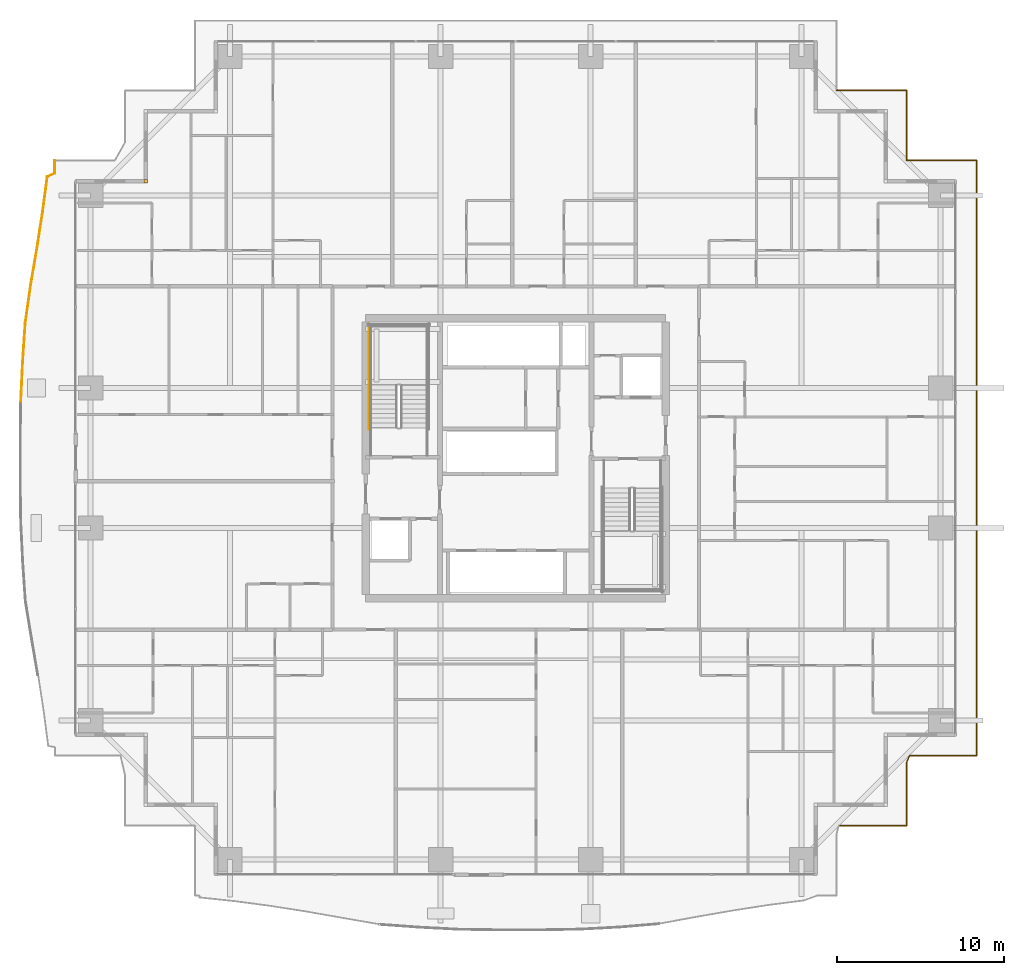
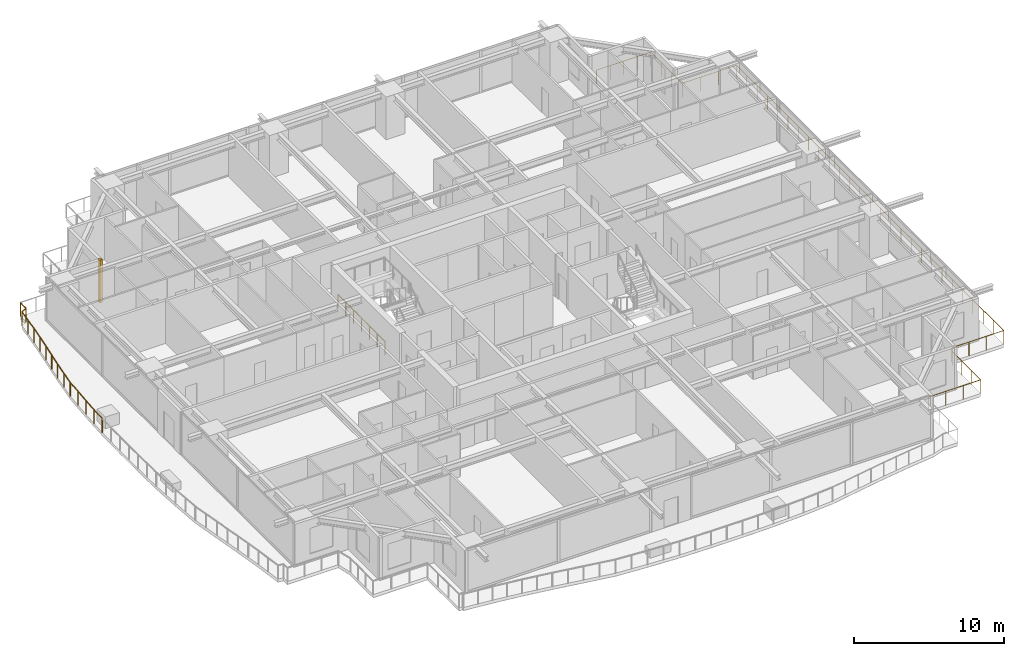
# One storey, part 39 of 41: 3 railings, 1 covering.
"""IFC4 building model written with IfcOpenShell, lengths in metres."""

from ifc_helpers import new_model, si_unit, direction, frame, origin, origin_2d, place, context, subcontext, project, spatial, rectangle, circle, extrude, source, transform, mapped, material, layer, layer_set, type_object, element, save


model = new_model("IFC4")

# Units and contexts
model_context = context("Model", 3, precision=1e-05, world=origin(), true_north=direction((0.0, 1.0)))
body_context = subcontext(model_context, "Body", "Model", "MODEL_VIEW")
ifc_project = project(units=[si_unit("LENGTHUNIT", "METRE"), si_unit("AREAUNIT", "SQUARE_METRE"), si_unit("VOLUMEUNIT", "CUBIC_METRE"), si_unit("PLANEANGLEUNIT", "RADIAN"), si_unit("MASSUNIT", "GRAM", prefix="KILO")], contexts=[model_context])

# Site, building, storey
site_placement = place(None, origin())
site = spatial("IfcSite", under=ifc_project, at=site_placement, CompositionType="ELEMENT")
building_placement = place(site_placement, origin())
building = spatial("IfcBuilding", under=site, at=building_placement, Name="Serunith Strait Residences", CompositionType="ELEMENT")
storey_placement = place(building_placement, frame((0.0, 0.0, 45.449951171875)))
storey = spatial("IfcBuildingStorey", under=building, at=storey_placement, Name="L10", CompositionType="ELEMENT", Elevation=45.449951171875)

# Railings
ifc_material_1 = material(Name="Stainless Steel & Laminated Glass Balustrade", Category="steel")
railing_type_1 = type_object("IfcRailingType", Name="RLG-BALC-1150", PredefinedType="BALUSTRADE", material=ifc_material_1)
railing_1_placement = place(storey_placement, frame((2.70751953125, 28.58349609375, -0.050048828125)))
element("IfcRailing", 1, at=railing_1_placement, inside=storey, type_object=railing_type_1, Name="L10 Swirling Balcony Perimeter Balustrade 3", PredefinedType="BALUSTRADE", context=body_context, shape_type="SweptSolid", body=[
    extrude(circle(Radius=0.02392578125, at=origin_2d()), frame((0.0, 0.001953125, 1.1259765625), z_axis=(0.047205907635, 0.99888517973, 0.0), x_axis=(-0.99888517973, 0.047205907635, 0.0)), (0.0, 0.0, 1.0), 2.385498046875),
    extrude(circle(Radius=0.02392578125, at=origin_2d()), frame((0.113037109375, 2.388671875, 1.1259765625), z_axis=(0.065743710835, 0.997836541967, 0.0), x_axis=(-0.997836541967, 0.065743710835, 0.0)), (0.0, 0.0, 1.0), 2.35791015625),
    extrude(circle(Radius=0.02392578125, at=origin_2d()), frame((0.268310546875, 4.745361328125, 1.1259765625), z_axis=(0.14307546888, 0.989711781381, 0.0), x_axis=(-0.989711781381, 0.14307546888, 0.0)), (0.0, 0.0, 1.0), 2.289306640625),
    extrude(circle(Radius=0.02392578125, at=origin_2d()), frame((0.596435546875, 7.01513671875, 1.1259765625), z_axis=(0.16763169898, 0.985849691128, 0.0), x_axis=(-0.985849691128, 0.16763169898, 0.0)), (0.0, 0.0, 1.0), 2.224365234375),
    extrude(circle(Radius=0.02392578125, at=origin_2d()), frame((0.969970703125, 9.2119140625, 1.1259765625), z_axis=(0.153755566006, 0.988108913998, 0.0), x_axis=(-0.988108913998, 0.153755566006, 0.0)), (0.0, 0.0, 1.0), 2.177734375),
    extrude(circle(Radius=0.02392578125, at=origin_2d()), frame((1.305419921875, 11.36767578125, 1.1259765625), z_axis=(0.13270652096, 0.99115537596, 0.0), x_axis=(-0.99115537596, 0.13270652096, 0.0)), (0.0, 0.0, 1.0), 2.146728515625),
    extrude(circle(Radius=0.02392578125, at=origin_2d()), frame((1.59228515625, 13.498046875, 1.1259765625), z_axis=(0.909365888291, 0.415997212986, 0.0), x_axis=(-0.415997212986, 0.909365888291, 0.0)), (0.0, 0.0, 1.0), 0.48193359375),
    extrude(circle(Radius=0.02392578125, at=origin_2d()), frame((2.032470703125, 13.701416015625, 1.1259765625), z_axis=(0.0, 1.0, 0.0), x_axis=(-1.0, 0.0, 0.0)), (0.0, 0.0, 1.0), 0.773193359375),
    extrude(circle(Radius=0.02099609375, at=origin_2d()), origin(), (0.0, 0.0, 1.0), 1.099853515625),
    extrude(circle(Radius=0.02099609375, at=origin_2d()), frame((0.056396484375, 1.193359375, 0.0)), (0.0, 0.0, 1.0), 1.099853515625),
    extrude(circle(Radius=0.02099609375, at=origin_2d()), frame((0.11279296875, 2.38671875, 0.0)), (0.0, 0.0, 1.0), 1.099853515625),
    extrude(circle(Radius=0.02099609375, at=origin_2d()), frame((0.1904296875, 3.56494140625, 0.0)), (0.0, 0.0, 1.0), 1.099853515625),
    extrude(circle(Radius=0.02099609375, at=origin_2d()), frame((0.26806640625, 4.743408203125, 0.0)), (0.0, 0.0, 1.0), 1.099853515625),
    extrude(circle(Radius=0.02099609375, at=origin_2d()), frame((0.43212890625, 5.87841796875, 0.0)), (0.0, 0.0, 1.0), 1.099853515625),
    extrude(circle(Radius=0.02099609375, at=origin_2d()), frame((0.59619140625, 7.01318359375, 0.0)), (0.0, 0.0, 1.0), 1.099853515625),
    extrude(circle(Radius=0.02099609375, at=origin_2d()), frame((0.782958984375, 8.111572265625, 0.0)), (0.0, 0.0, 1.0), 1.099853515625),
    extrude(circle(Radius=0.02099609375, at=origin_2d()), frame((0.9697265625, 9.2099609375, 0.0)), (0.0, 0.0, 1.0), 1.099853515625),
    extrude(circle(Radius=0.02099609375, at=origin_2d()), frame((1.137451171875, 10.287841796875, 0.0)), (0.0, 0.0, 1.0), 1.099853515625),
    extrude(circle(Radius=0.02099609375, at=origin_2d()), frame((1.30517578125, 11.36572265625, 0.0)), (0.0, 0.0, 1.0), 1.099853515625),
    extrude(circle(Radius=0.02099609375, at=origin_2d()), frame((1.44775390625, 12.431640625, 0.0)), (0.0, 0.0, 1.0), 1.099853515625),
    extrude(circle(Radius=0.02099609375, at=origin_2d()), frame((1.590576171875, 13.497314453125, 0.0)), (0.0, 0.0, 1.0), 1.099853515625),
    extrude(circle(Radius=0.02099609375, at=origin_2d()), frame((2.032470703125, 13.699462890625, 0.0)), (0.0, 0.0, 1.0), 1.099853515625),
    extrude(circle(Radius=0.02099609375, at=origin_2d()), frame((2.032470703125, 14.4765625, 0.0)), (0.0, 0.0, 1.0), 1.099853515625),
])
railing_2_placement = place(storey_placement, frame((51.659912109375, 47.260009765625, -0.050048828125)))
element("IfcRailing", 2, at=railing_2_placement, inside=storey, type_object=railing_type_1, Name="L10 Swirling Balcony Perimeter Balustrade 5", PredefinedType="BALUSTRADE", context=body_context, shape_type="SweptSolid", body=[
    extrude(circle(Radius=0.02392578125, at=origin_2d()), frame((0.001953125, 0.0, 1.1259765625), z_axis=(1.0, 0.0, 0.0), x_axis=(0.0, 1.0, 0.0)), (0.0, 0.0, 1.0), 4.1962890625),
    extrude(circle(Radius=0.02392578125, at=origin_2d()), frame((4.2001953125, -0.001953125, 1.1259765625), z_axis=(0.0, -1.0, 0.0), x_axis=(1.0, 0.0, 0.0)), (0.0, 0.0, 1.0), 4.196044921875),
    extrude(circle(Radius=0.02392578125, at=origin_2d()), frame((4.2021484375, -4.199951171875, 1.1259765625), z_axis=(1.0, 0.0, 0.0), x_axis=(0.0, 1.0, 0.0)), (0.0, 0.0, 1.0), 4.196044921875),
    extrude(circle(Radius=0.02392578125, at=origin_2d()), frame((8.400146484375, -4.201904296875, 1.1259765625), z_axis=(0.0, -1.0, 0.0), x_axis=(1.0, 0.0, 0.0)), (0.0, 0.0, 1.0), 35.716064453125),
    extrude(circle(Radius=0.02392578125, at=origin_2d()), frame((8.398193359375, -39.919921875, 1.1259765625), z_axis=(-1.0, 0.0, 0.0), x_axis=(0.0, -1.0, 0.0)), (0.0, 0.0, 1.0), 4.014892578125),
    extrude(circle(Radius=0.02392578125, at=origin_2d()), frame((4.380615234375, -39.921630859375, 1.1259765625), z_axis=(-0.414518347731, -0.91004095479, 0.0), x_axis=(0.91004095479, -0.414518347731, 0.0)), (0.0, 0.0, 1.0), 0.43310546875),
    extrude(circle(Radius=0.02392578125, at=origin_2d()), frame((4.2001953125, -40.319580078125, 1.1259765625), z_axis=(0.0, -1.0, 0.0), x_axis=(1.0, 0.0, 0.0)), (0.0, 0.0, 1.0), 3.798583984375),
    extrude(circle(Radius=0.02392578125, at=origin_2d()), frame((4.1982421875, -44.1201171875, 1.1259765625), z_axis=(-1.0, 0.0, 0.0), x_axis=(0.0, -1.0, 0.0)), (0.0, 0.0, 1.0), 4.05810546875),
    extrude(circle(Radius=0.02099609375, at=origin_2d()), origin(), (0.0, 0.0, 1.0), 1.099853515625),
    extrude(circle(Radius=0.02099609375, at=origin_2d()), frame((1.050048828125, 0.0, 0.0)), (0.0, 0.0, 1.0), 1.099853515625),
    extrude(circle(Radius=0.02099609375, at=origin_2d()), frame((2.10009765625, 0.0, 0.0)), (0.0, 0.0, 1.0), 1.099853515625),
    extrude(circle(Radius=0.02099609375, at=origin_2d()), frame((3.150146484375, 0.0, 0.0)), (0.0, 0.0, 1.0), 1.099853515625),
    extrude(circle(Radius=0.02099609375, at=origin_2d()), frame((4.2001953125, 0.0, 0.0)), (0.0, 0.0, 1.0), 1.099853515625),
    extrude(circle(Radius=0.02099609375, at=origin_2d()), frame((4.2001953125, -1.39990234375, 0.0)), (0.0, 0.0, 1.0), 1.099853515625),
    extrude(circle(Radius=0.02099609375, at=origin_2d()), frame((4.2001953125, -2.800048828125, 0.0)), (0.0, 0.0, 1.0), 1.099853515625),
    extrude(circle(Radius=0.02099609375, at=origin_2d()), frame((4.2001953125, -4.199951171875, 0.0)), (0.0, 0.0, 1.0), 1.099853515625),
    extrude(circle(Radius=0.02099609375, at=origin_2d()), frame((5.60009765625, -4.199951171875, 0.0)), (0.0, 0.0, 1.0), 1.099853515625),
    extrude(circle(Radius=0.02099609375, at=origin_2d()), frame((7.000244140625, -4.199951171875, 0.0)), (0.0, 0.0, 1.0), 1.099853515625),
    extrude(circle(Radius=0.02099609375, at=origin_2d()), frame((8.400146484375, -4.199951171875, 0.0)), (0.0, 0.0, 1.0), 1.099853515625),
    extrude(circle(Radius=0.02099609375, at=origin_2d()), frame((8.400146484375, -5.57373046875, 0.0)), (0.0, 0.0, 1.0), 1.099853515625),
    extrude(circle(Radius=0.02099609375, at=origin_2d()), frame((8.400146484375, -6.94775390625, 0.0)), (0.0, 0.0, 1.0), 1.099853515625),
    extrude(circle(Radius=0.02099609375, at=origin_2d()), frame((8.400146484375, -8.321533203125, 0.0)), (0.0, 0.0, 1.0), 1.099853515625),
    extrude(circle(Radius=0.02099609375, at=origin_2d()), frame((8.400146484375, -9.6953125, 0.0)), (0.0, 0.0, 1.0), 1.099853515625),
    extrude(circle(Radius=0.02099609375, at=origin_2d()), frame((8.400146484375, -11.069091796875, 0.0)), (0.0, 0.0, 1.0), 1.099853515625),
    extrude(circle(Radius=0.02099609375, at=origin_2d()), frame((8.400146484375, -12.443115234375, 0.0)), (0.0, 0.0, 1.0), 1.099853515625),
    extrude(circle(Radius=0.02099609375, at=origin_2d()), frame((8.400146484375, -13.81689453125, 0.0)), (0.0, 0.0, 1.0), 1.099853515625),
    extrude(circle(Radius=0.02099609375, at=origin_2d()), frame((8.400146484375, -15.190673828125, 0.0)), (0.0, 0.0, 1.0), 1.099853515625),
    extrude(circle(Radius=0.02099609375, at=origin_2d()), frame((8.400146484375, -16.564453125, 0.0)), (0.0, 0.0, 1.0), 1.099853515625),
    extrude(circle(Radius=0.02099609375, at=origin_2d()), frame((8.400146484375, -17.9384765625, 0.0)), (0.0, 0.0, 1.0), 1.099853515625),
    extrude(circle(Radius=0.02099609375, at=origin_2d()), frame((8.400146484375, -19.312255859375, 0.0)), (0.0, 0.0, 1.0), 1.099853515625),
    extrude(circle(Radius=0.02099609375, at=origin_2d()), frame((8.400146484375, -20.68603515625, 0.0)), (0.0, 0.0, 1.0), 1.099853515625),
    extrude(circle(Radius=0.02099609375, at=origin_2d()), frame((8.400146484375, -22.06005859375, 0.0)), (0.0, 0.0, 1.0), 1.099853515625),
    extrude(circle(Radius=0.02099609375, at=origin_2d()), frame((8.400146484375, -23.433837890625, 0.0)), (0.0, 0.0, 1.0), 1.099853515625),
    extrude(circle(Radius=0.02099609375, at=origin_2d()), frame((8.400146484375, -24.8076171875, 0.0)), (0.0, 0.0, 1.0), 1.099853515625),
    extrude(circle(Radius=0.02099609375, at=origin_2d()), frame((8.400146484375, -26.181396484375, 0.0)), (0.0, 0.0, 1.0), 1.099853515625),
    extrude(circle(Radius=0.02099609375, at=origin_2d()), frame((8.400146484375, -27.555419921875, 0.0)), (0.0, 0.0, 1.0), 1.099853515625),
    extrude(circle(Radius=0.02099609375, at=origin_2d()), frame((8.400146484375, -28.92919921875, 0.0)), (0.0, 0.0, 1.0), 1.099853515625),
    extrude(circle(Radius=0.02099609375, at=origin_2d()), frame((8.400146484375, -30.302978515625, 0.0)), (0.0, 0.0, 1.0), 1.099853515625),
    extrude(circle(Radius=0.02099609375, at=origin_2d()), frame((8.400146484375, -31.6767578125, 0.0)), (0.0, 0.0, 1.0), 1.099853515625),
    extrude(circle(Radius=0.02099609375, at=origin_2d()), frame((8.400146484375, -33.05078125, 0.0)), (0.0, 0.0, 1.0), 1.099853515625),
    extrude(circle(Radius=0.02099609375, at=origin_2d()), frame((8.400146484375, -34.424560546875, 0.0)), (0.0, 0.0, 1.0), 1.099853515625),
    extrude(circle(Radius=0.02099609375, at=origin_2d()), frame((8.400146484375, -35.79833984375, 0.0)), (0.0, 0.0, 1.0), 1.099853515625),
    extrude(circle(Radius=0.02099609375, at=origin_2d()), frame((8.400146484375, -37.172119140625, 0.0)), (0.0, 0.0, 1.0), 1.099853515625),
    extrude(circle(Radius=0.02099609375, at=origin_2d()), frame((8.400146484375, -38.546142578125, 0.0)), (0.0, 0.0, 1.0), 1.099853515625),
    extrude(circle(Radius=0.02099609375, at=origin_2d()), frame((8.400146484375, -39.919921875, 0.0)), (0.0, 0.0, 1.0), 1.099853515625),
    extrude(circle(Radius=0.02099609375, at=origin_2d()), frame((7.060546875, -39.919921875, 0.0)), (0.0, 0.0, 1.0), 1.099853515625),
    extrude(circle(Radius=0.02099609375, at=origin_2d()), frame((5.720947265625, -39.919921875, 0.0)), (0.0, 0.0, 1.0), 1.099853515625),
    extrude(circle(Radius=0.02099609375, at=origin_2d()), frame((4.38134765625, -39.919921875, 0.0)), (0.0, 0.0, 1.0), 1.099853515625),
    extrude(circle(Radius=0.02099609375, at=origin_2d()), frame((4.2001953125, -40.317626953125, 0.0)), (0.0, 0.0, 1.0), 1.099853515625),
    extrude(circle(Radius=0.02099609375, at=origin_2d()), frame((4.2001953125, -41.585205078125, 0.0)), (0.0, 0.0, 1.0), 1.099853515625),
    extrude(circle(Radius=0.02099609375, at=origin_2d()), frame((4.2001953125, -42.8525390625, 0.0)), (0.0, 0.0, 1.0), 1.099853515625),
    extrude(circle(Radius=0.02099609375, at=origin_2d()), frame((4.2001953125, -44.1201171875, 0.0)), (0.0, 0.0, 1.0), 1.099853515625),
    extrude(circle(Radius=0.02099609375, at=origin_2d()), frame((2.84619140625, -44.1201171875, 0.0)), (0.0, 0.0, 1.0), 1.099853515625),
    extrude(circle(Radius=0.02099609375, at=origin_2d()), frame((1.4921875, -44.1201171875, 0.0)), (0.0, 0.0, 1.0), 1.099853515625),
    extrude(circle(Radius=0.02099609375, at=origin_2d()), frame((0.13818359375, -44.1201171875, 0.0)), (0.0, 0.0, 1.0), 1.099853515625),
])
ifc_material_2 = material(Name="Brushed stainless steel 316L", Category="steel")
railing_type_2 = type_object("IfcRailingType", Name="RLG-STAIR-GUARD", PredefinedType="BALUSTRADE", material=ifc_material_2)
railing_3_placement = place(storey_placement, frame((23.60009765625, 26.929931640625, 0.0)))
element("IfcRailing", 3, at=railing_3_placement, inside=storey, type_object=railing_type_2, Name="L10 ST-1 stair guard 11", PredefinedType="BALUSTRADE", context=body_context, shape_type="SweptSolid", body=[
    extrude(circle(Radius=0.02392578125, at=origin_2d()), frame((0.0, 0.001953125, 1.076171875), z_axis=(0.0, 1.0, 0.0), x_axis=(-1.0, 0.0, 0.0)), (0.0, 0.0, 1.0), 6.316162109375),
    extrude(circle(Radius=0.02099609375, at=origin_2d()), origin(), (0.0, 0.0, 1.0), 1.050048828125),
    extrude(circle(Radius=0.02099609375, at=origin_2d()), frame((0.0, 1.05322265625, 0.0)), (0.0, 0.0, 1.0), 1.050048828125),
    extrude(circle(Radius=0.02099609375, at=origin_2d()), frame((0.0, 2.106689453125, 0.0)), (0.0, 0.0, 1.0), 1.050048828125),
    extrude(circle(Radius=0.02099609375, at=origin_2d()), frame((0.0, 3.16015625, 0.0)), (0.0, 0.0, 1.0), 1.050048828125),
    extrude(circle(Radius=0.02099609375, at=origin_2d()), frame((0.0, 4.21337890625, 0.0)), (0.0, 0.0, 1.0), 1.050048828125),
    extrude(circle(Radius=0.02099609375, at=origin_2d()), frame((0.0, 5.2666015625, 0.0)), (0.0, 0.0, 1.0), 1.050048828125),
    extrude(circle(Radius=0.02099609375, at=origin_2d()), frame((0.0, 6.320068359375, 0.0)), (0.0, 0.0, 1.0), 1.050048828125),
])

# Covering
ifc_material_3 = material(Name="Pale-Champagne Anodised Aluminium", Category="aluminium")
ifc_layer = layer(ifc_material_3, 0.219970703125, Name="Pale-Champagne Anodised Aluminium")
ifc_layer_set = layer_set([ifc_layer], Name="Pale-Champagne Anodised Aluminium")
covering_type = type_object("IfcCoveringType", Name="COV-CORN-TRIM", PredefinedType="CLADDING", material=ifc_layer_set)
shared_shape = source(origin(), body_context, "Body", "SweptSolid", [
    extrude(rectangle(XDim=0.221923828125, YDim=0.221923828125, at=origin_2d()), origin(), (0.0, 0.0, 1.0), 3.47509765625),
])
covering_placement = place(storey_placement, frame((10.199951171875, 41.800048828125, 0.0), z_axis=(0.0, 0.0, 1.0), x_axis=(1.0, 0.0, 0.0)))
element("IfcCovering", 4, at=covering_placement, inside=storey, type_object=covering_type, Name="L10 Girih Serrated Corner Trim Post 14", PredefinedType="CLADDING", context=body_context, shape_type="MappedRepresentation", body=[
    mapped(shared_shape, transform((0.0, 0.0, 0.0), scale=1.0)),
])

save(model, "model.ifc")
